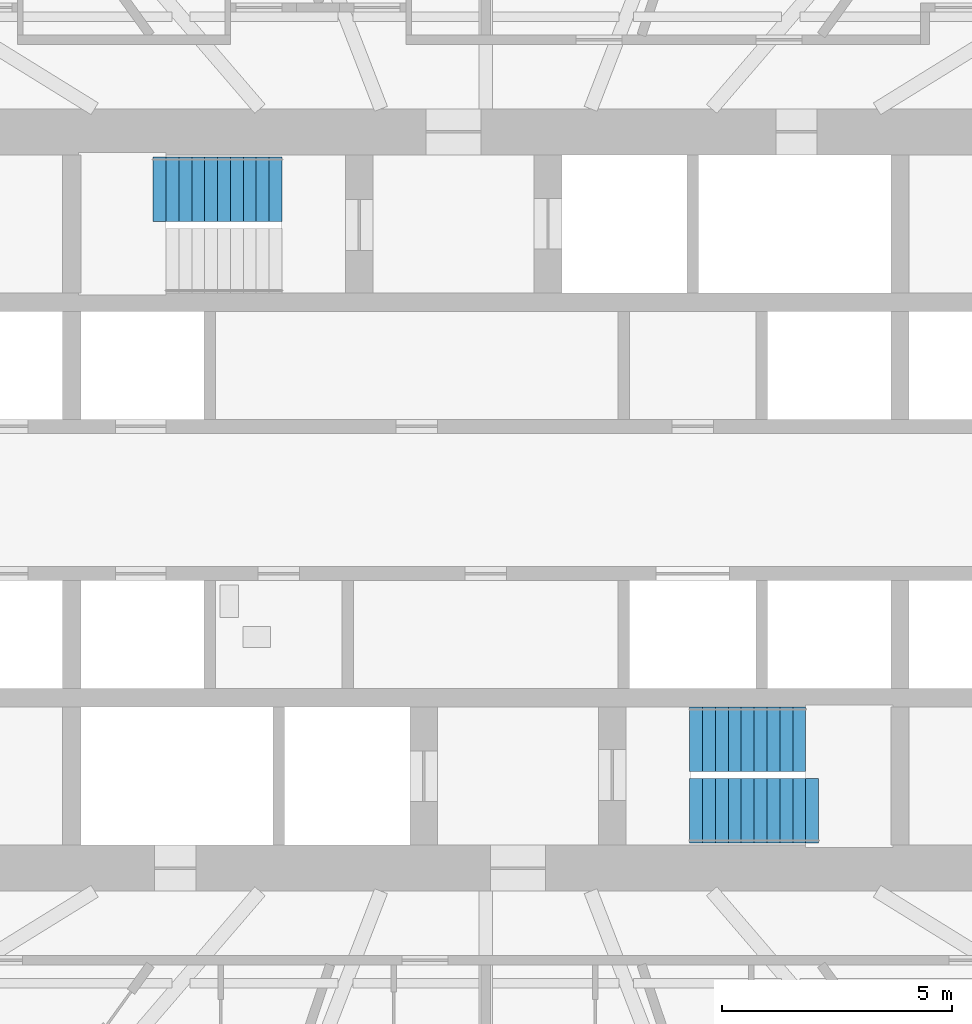
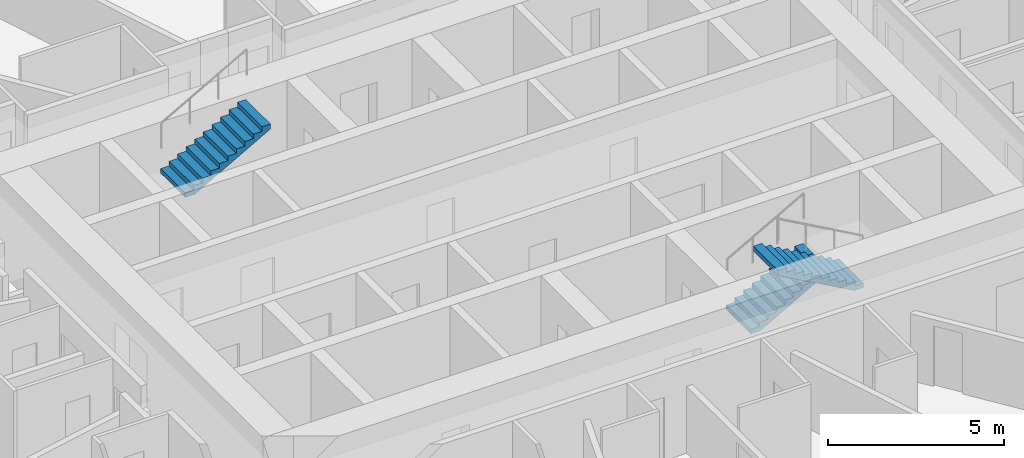
# One storey, part 14 of 16: 3 stair flights, 2 elements without a shape of their own.
"""IFC4 building model written with IfcOpenShell, lengths in metres."""

from ifc_helpers import new_model, si_unit, direction, frame, origin, place, context, subcontext, project, spatial, polyline, outline, extrude, material, type_object, element, aggregate, save


model = new_model("IFC4")

# Units and contexts
model_context = context("Model", 3, precision=1e-05, world=origin(), true_north=direction((0.0, 1.0)))
body_context = subcontext(model_context, "Body", "Model", "MODEL_VIEW")
ifc_project = project(units=[si_unit("LENGTHUNIT", "METRE"), si_unit("AREAUNIT", "SQUARE_METRE"), si_unit("VOLUMEUNIT", "CUBIC_METRE"), si_unit("PLANEANGLEUNIT", "RADIAN"), si_unit("MASSUNIT", "GRAM", prefix="KILO")], contexts=[model_context])

# Site, building, storey
site_placement = place(None, origin())
site = spatial("IfcSite", under=ifc_project, at=site_placement, CompositionType="ELEMENT")
building_placement = place(site_placement, origin())
building = spatial("IfcBuilding", under=site, at=building_placement, Name="Hankou Lantern Tower", CompositionType="ELEMENT")
storey_placement = place(building_placement, frame((0.0, 0.0, 77.10009765625)))
storey = spatial("IfcBuildingStorey", under=building, at=storey_placement, Name="L19", CompositionType="ELEMENT", Elevation=77.10009765625)

# Stair, stair flight
ifc_material_1 = material(Name="Concrete C40", Category="concrete")
stair_type = type_object("IfcStairType", Name="ST33 CORE STAIR 3300 RISE", PredefinedType="HALF_TURN_STAIR", material=ifc_material_1)
stair_1_placement = place(storey_placement, origin())
stair_1 = element("IfcStair", 1, at=stair_1_placement, inside=storey, type_object=stair_type, Name="Stair STB L19", PredefinedType="HALF_TURN_STAIR")
ifc_material_2 = material(Name="Concrete C40", Category="concrete")
stair_flight_type_1 = type_object("IfcStairFlightType", Name="CF10 CORE STAIR FLIGHT 1400 X 10 RISERS", PredefinedType="STRAIGHT", material=ifc_material_2)
stair_flight_1_placement = place(storey_placement, frame((4.429931640625, -5.199951171875, 0.0), z_axis=(0.0, 0.0, 1.0), x_axis=(1.0, 0.0, 0.0)))
stair_flight_1 = element("IfcStairFlight", 2, at=stair_flight_1_placement, type_object=stair_flight_type_1, Name="STB flight 1", NumberOfRisers=10, NumberOfTreads=9, PredefinedType="STRAIGHT", RiserHeight=0.157142857, TreadLength=0.28, context=body_context, shape_type="SweptSolid", body=[
    extrude(outline(polyline([(0.0, 0.0), (0.0, 0.1572265625), (0.280029296875, 0.1572265625), (0.280029296875, 0.314208984375), (0.56005859375, 0.314208984375), (0.56005859375, 0.471435546875), (0.840087890625, 0.471435546875), (0.840087890625, 0.628662109375), (1.1201171875, 0.628662109375), (1.1201171875, 0.78564453125), (1.39990234375, 0.78564453125), (1.39990234375, 0.94287109375), (1.679931640625, 0.94287109375), (1.679931640625, 1.10009765625), (1.9599609375, 1.10009765625), (1.9599609375, 1.257080078125), (2.239990234375, 1.257080078125), (2.239990234375, 1.414306640625), (2.52001953125, 1.414306640625), (2.52001953125, 1.571533203125), (2.52001953125, 1.242431640625), (0.306396484375, 0.0), (0.0, 0.0)])), frame((0.0, 0.699951171875, 0.0), z_axis=(0.0, -1.0, 0.0), x_axis=(1.0, 0.0, 0.0)), (0.0, 0.0, 1.0), 1.39990234375),
])

stair_2_placement = place(storey_placement, origin())
stair_2 = element("IfcStair", 3, at=stair_2_placement, inside=storey, type_object=stair_type, Name="Stair STA L19", PredefinedType="HALF_TURN_STAIR")
ifc_material_3 = material(Name="Concrete C40", Category="concrete")
stair_flight_type_2 = type_object("IfcStairFlightType", Name="CF11 CORE STAIR FLIGHT 1400 X 11 RISERS", PredefinedType="STRAIGHT", material=ifc_material_3)
stair_flight_2_placement = place(storey_placement, frame((-7.22998046875, 6.75, 1.5712890625), z_axis=(0.0, 0.0, 1.0), x_axis=(1.0, 0.0, 0.0)))
stair_flight_2 = element("IfcStairFlight", 4, at=stair_flight_2_placement, type_object=stair_flight_type_2, Name="STA flight 2", NumberOfRisers=11, NumberOfTreads=10, PredefinedType="STRAIGHT", RiserHeight=0.157142857, TreadLength=0.28, context=body_context, shape_type="SweptSolid", body=[
    extrude(outline(polyline([(0.0, 0.0), (0.0, 0.1572265625), (0.280029296875, 0.1572265625), (0.280029296875, 0.314208984375), (0.56005859375, 0.314208984375), (0.56005859375, 0.471435546875), (0.840087890625, 0.471435546875), (0.840087890625, 0.628662109375), (1.1201171875, 0.628662109375), (1.1201171875, 0.78564453125), (1.39990234375, 0.78564453125), (1.39990234375, 0.94287109375), (1.679931640625, 0.94287109375), (1.679931640625, 1.10009765625), (1.9599609375, 1.10009765625), (1.9599609375, 1.257080078125), (2.239990234375, 1.257080078125), (2.239990234375, 1.414306640625), (2.52001953125, 1.414306640625), (2.52001953125, 1.571533203125), (2.800048828125, 1.571533203125), (2.800048828125, 1.728515625), (2.800048828125, 1.3994140625), (0.306396484375, 0.0), (0.0, 0.0)])), frame((0.0, 0.699951171875, 0.0), z_axis=(0.0, -1.0, 0.0), x_axis=(1.0, 0.0, 0.0)), (0.0, 0.0, 1.0), 1.39990234375),
])
aggregate(stair_2, [stair_flight_2])

# Stair flight
stair_flight_3_placement = place(storey_placement, frame((7.22998046875, -6.75, 1.5712890625), z_axis=(0.0, 0.0, 1.0), x_axis=(-1.0, 0.0, 0.0)))
stair_flight_3 = element("IfcStairFlight", 5, at=stair_flight_3_placement, type_object=stair_flight_type_2, Name="STB flight 2", NumberOfRisers=11, NumberOfTreads=10, PredefinedType="STRAIGHT", RiserHeight=0.157142857, TreadLength=0.28, context=body_context, shape_type="SweptSolid", body=[
    extrude(outline(polyline([(0.0, 0.0), (0.0, 0.1572265625), (0.280029296875, 0.1572265625), (0.280029296875, 0.314208984375), (0.56005859375, 0.314208984375), (0.56005859375, 0.471435546875), (0.840087890625, 0.471435546875), (0.840087890625, 0.628662109375), (1.1201171875, 0.628662109375), (1.1201171875, 0.78564453125), (1.39990234375, 0.78564453125), (1.39990234375, 0.94287109375), (1.679931640625, 0.94287109375), (1.679931640625, 1.10009765625), (1.9599609375, 1.10009765625), (1.9599609375, 1.257080078125), (2.239990234375, 1.257080078125), (2.239990234375, 1.414306640625), (2.52001953125, 1.414306640625), (2.52001953125, 1.571533203125), (2.800048828125, 1.571533203125), (2.800048828125, 1.728515625), (2.800048828125, 1.3994140625), (0.306396484375, 0.0), (0.0, 0.0)])), frame((0.0, 0.699951171875, 0.0), z_axis=(0.0, -1.0, 0.0), x_axis=(1.0, 0.0, 0.0)), (0.0, 0.0, 1.0), 1.39990234375),
])

aggregate(stair_1, [stair_flight_1, stair_flight_3])

save(model, "model.ifc")
